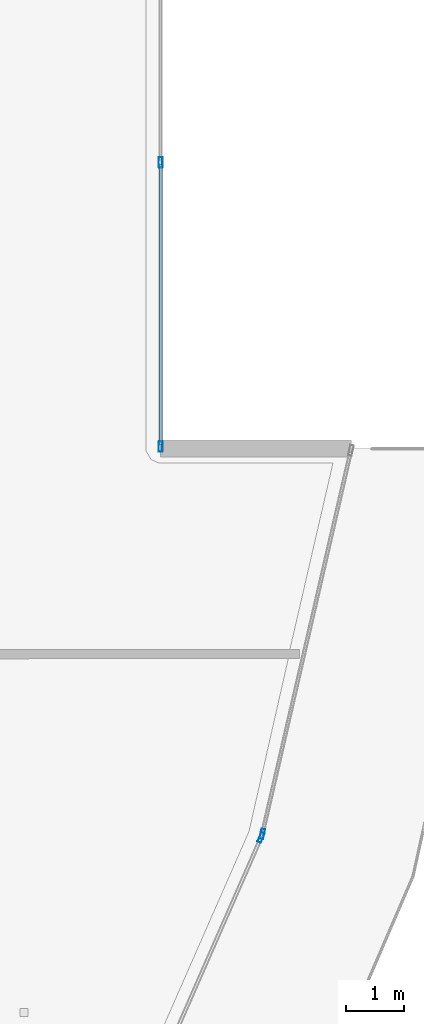
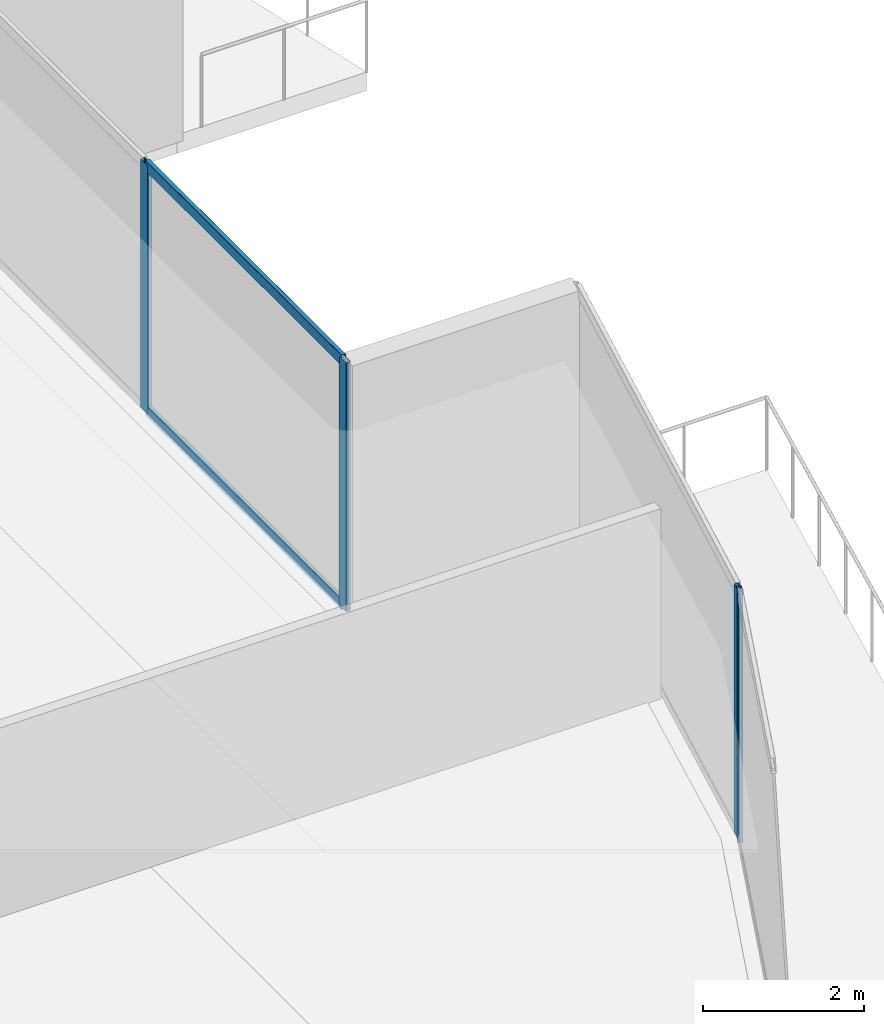
# One storey, part 12 of 42: 6 members, 3 elements without a shape of their own.
"""IFC4 building model written with IfcOpenShell, lengths in metres."""

from ifc_helpers import new_model, si_unit, direction, frame, origin, origin_2d, place, context, subcontext, project, spatial, hollow_rectangle, extrude, material, layer, layer_set, material_profile, profile_set, type_object, element, aggregate, save


model = new_model("IFC4")

# Units and contexts
model_context = context("Model", 3, precision=1e-05, world=origin(), true_north=direction((0.0, 1.0)))
body_context = subcontext(model_context, "Body", "Model", "MODEL_VIEW")
ifc_project = project(units=[si_unit("LENGTHUNIT", "METRE"), si_unit("AREAUNIT", "SQUARE_METRE"), si_unit("VOLUMEUNIT", "CUBIC_METRE"), si_unit("PLANEANGLEUNIT", "RADIAN"), si_unit("MASSUNIT", "GRAM", prefix="KILO")], contexts=[model_context])

# Site, building, storey
site_placement = place(None, origin())
site = spatial("IfcSite", under=ifc_project, at=site_placement, CompositionType="ELEMENT")
building_placement = place(site_placement, origin())
building = spatial("IfcBuilding", under=site, at=building_placement, Name="Qorvath Tower", CompositionType="ELEMENT")
storey_placement = place(building_placement, frame((0.0, 0.0, 117.89990234375)))
storey = spatial("IfcBuildingStorey", under=building, at=storey_placement, Name="L26", CompositionType="ELEMENT", Elevation=117.89990234375)

# Curtain wall, member
ifc_material_1 = material(Name="Anodised aluminium and triple low-E glass", Category="aluminium")
ifc_layer = layer(ifc_material_1, 0.179931640625)
ifc_layer_set = layer_set([ifc_layer], Name="CW-SYS-2")
curtain_wall_type = type_object("IfcCurtainWallType", Name="CW-SYS-2", PredefinedType="NOTDEFINED", material=ifc_layer_set)
curtain_wall_1_placement = place(storey_placement, origin())
curtain_wall_1 = element("IfcCurtainWall", 1, at=curtain_wall_1_placement, inside=storey, type_object=curtain_wall_type, Name="Curtain Wall CW-2 CW-T-L26-6.1", PredefinedType="NOTDEFINED")
ifc_material_2 = material(Name="Anodised aluminium 6063-T6", Category="aluminium")
ifc_material_profile_1 = material_profile(ifc_material_2, hollow_rectangle(XDim=0.06494140625, YDim=0.179931640625, WallThickness=0.00341796875, InnerFilletRadius=0.00341796875, OuterFilletRadius=0.007080078125, at=origin_2d()), Name="CWM 180x65")
ifc_profile_set_1 = profile_set([ifc_material_profile_1], Name="Anodised aluminium 6063-T6")
member_type_1 = type_object("IfcMemberType", Name="CWM-180", PredefinedType="MULLION", material=ifc_profile_set_1)
member_1_placement = place(storey_placement, frame((3.13134765625, -11.721923828125, 0.0), z_axis=(0.0, 0.0, 1.0), x_axis=(-0.915793818987, 0.401648703602, 0.0)))
member_1 = element("IfcMember", 2, at=member_1_placement, type_object=member_type_1, Name="CW-2 mullion 2", PredefinedType="MULLION", context=body_context, shape_type="SweptSolid", body=[
    extrude(hollow_rectangle(XDim=0.06494140625, YDim=0.179931640625, WallThickness=0.00341796875, InnerFilletRadius=0.00341796875, OuterFilletRadius=0.007080078125, at=origin_2d()), origin(), (0.0, 0.0, 1.0), 3.77001953125),
])
aggregate(curtain_wall_1, [member_1])

curtain_wall_2_placement = place(storey_placement, origin())
curtain_wall_2 = element("IfcCurtainWall", 3, at=curtain_wall_2_placement, inside=storey, type_object=curtain_wall_type, Name="Curtain Wall CW-2 CW-T-L26-7.1", PredefinedType="NOTDEFINED")
member_2_placement = place(storey_placement, frame((3.151611328125, -11.660400390625, 0.0), z_axis=(0.0, 0.0, 1.0), x_axis=(-0.974296356855, 0.225270080166, 0.0)))
member_2 = element("IfcMember", 4, at=member_2_placement, type_object=member_type_1, Name="CW-2 mullion 1", PredefinedType="MULLION", context=body_context, shape_type="SweptSolid", body=[
    extrude(hollow_rectangle(XDim=0.06494140625, YDim=0.179931640625, WallThickness=0.00341796875, InnerFilletRadius=0.00341796875, OuterFilletRadius=0.007080078125, at=origin_2d()), origin(), (0.0, 0.0, 1.0), 3.77001953125),
])
aggregate(curtain_wall_2, [member_2])

# Curtain wall, members
curtain_wall_3_placement = place(storey_placement, origin())
curtain_wall_3 = element("IfcCurtainWall", 5, at=curtain_wall_3_placement, inside=storey, type_object=curtain_wall_type, Name="Curtain Wall CW-2 CW-T-L26-9.1", PredefinedType="NOTDEFINED")
member_3_placement = place(storey_placement, frame((1.386962890625, -4.935546875, 0.0), z_axis=(0.0, 0.0, 1.0), x_axis=(-1.0, 0.0, 0.0)))
member_3 = element("IfcMember", 6, at=member_3_placement, type_object=member_type_1, Name="CW-2 mullion 1", PredefinedType="MULLION", context=body_context, shape_type="SweptSolid", body=[
    extrude(hollow_rectangle(XDim=0.06494140625, YDim=0.179931640625, WallThickness=0.00341796875, InnerFilletRadius=0.00341796875, OuterFilletRadius=0.007080078125, at=origin_2d()), origin(), (0.0, 0.0, 1.0), 3.77001953125),
])
member_4_placement = place(storey_placement, frame((1.386962890625, 0.0, 0.0), z_axis=(0.0, 0.0, 1.0), x_axis=(-1.0, 0.0, 0.0)))
member_4 = element("IfcMember", 7, at=member_4_placement, type_object=member_type_1, Name="CW-2 mullion 2", PredefinedType="MULLION", context=body_context, shape_type="SweptSolid", body=[
    extrude(hollow_rectangle(XDim=0.06494140625, YDim=0.179931640625, WallThickness=0.00341796875, InnerFilletRadius=0.00341796875, OuterFilletRadius=0.007080078125, at=origin_2d()), origin(), (0.0, 0.0, 1.0), 3.77001953125),
])
ifc_material_3 = material(Name="Anodised aluminium 6063-T6", Category="aluminium")
ifc_material_profile_2 = material_profile(ifc_material_3, hollow_rectangle(XDim=0.06494140625, YDim=0.159912109375, WallThickness=0.00341796875, InnerFilletRadius=0.00341796875, OuterFilletRadius=0.007080078125, at=origin_2d()), Name="CWT 160x65")
ifc_profile_set_2 = profile_set([ifc_material_profile_2], Name="Anodised aluminium 6063-T6")
member_type_2 = type_object("IfcMemberType", Name="CWT-160", PredefinedType="USERDEFINED", material=ifc_profile_set_2)
member_5_placement = place(storey_placement, frame((1.386962890625, -4.903076171875, 0.032470703125), z_axis=(0.0, 1.0, 0.0), x_axis=(-1.0, 0.0, 0.0)))
member_5 = element("IfcMember", 8, at=member_5_placement, type_object=member_type_2, Name="CW-2 transom 1.1", ObjectType="TRANSOM", PredefinedType="USERDEFINED", context=body_context, shape_type="SweptSolid", body=[
    extrude(hollow_rectangle(XDim=0.06494140625, YDim=0.159912109375, WallThickness=0.00341796875, InnerFilletRadius=0.00341796875, OuterFilletRadius=0.007080078125, at=origin_2d()), origin(), (0.0, 0.0, 1.0), 4.87060546875),
])
member_6_placement = place(storey_placement, frame((1.386962890625, -4.903076171875, 3.737548828125), z_axis=(0.0, 1.0, 0.0), x_axis=(-1.0, 0.0, 0.0)))
member_6 = element("IfcMember", 9, at=member_6_placement, type_object=member_type_2, Name="CW-2 transom 1.2", ObjectType="TRANSOM", PredefinedType="USERDEFINED", context=body_context, shape_type="SweptSolid", body=[
    extrude(hollow_rectangle(XDim=0.06494140625, YDim=0.159912109375, WallThickness=0.00341796875, InnerFilletRadius=0.00341796875, OuterFilletRadius=0.007080078125, at=origin_2d()), origin(), (0.0, 0.0, 1.0), 4.87060546875),
])
aggregate(curtain_wall_3, [member_3, member_4, member_5, member_6])

save(model, "model.ifc")
